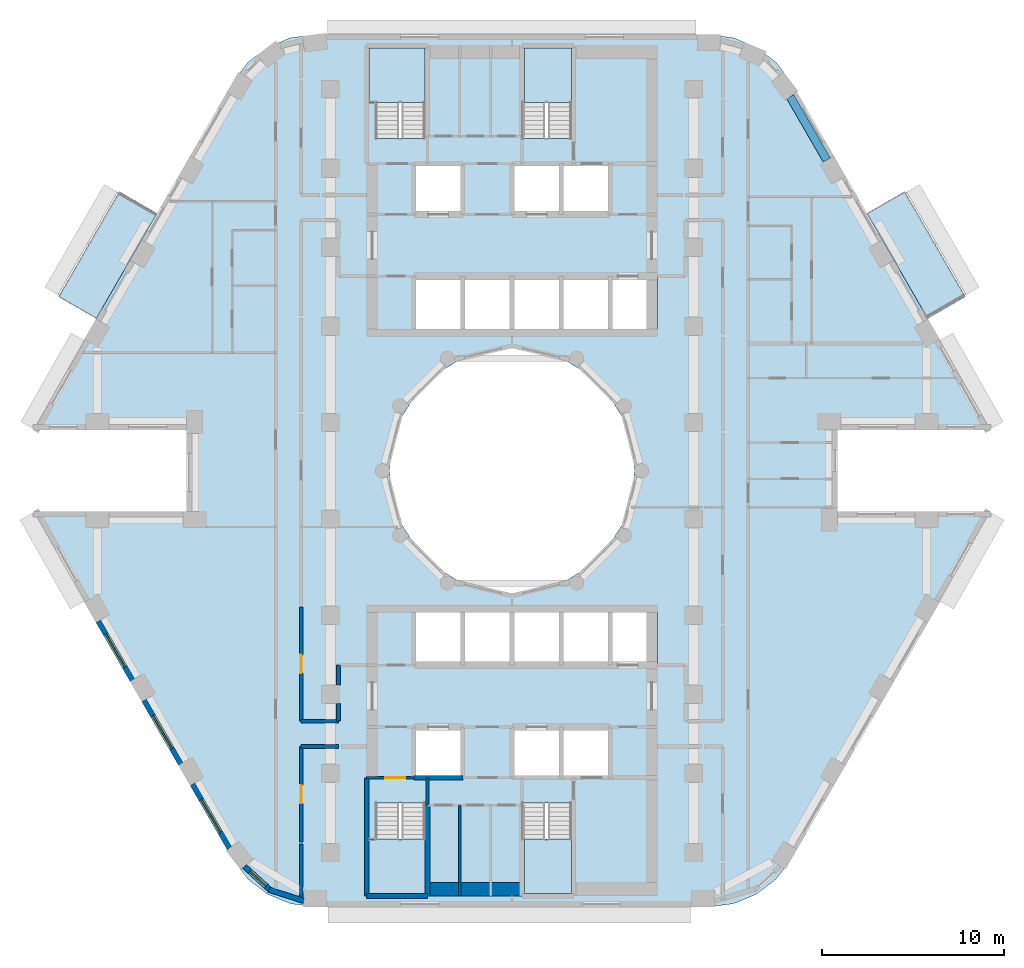
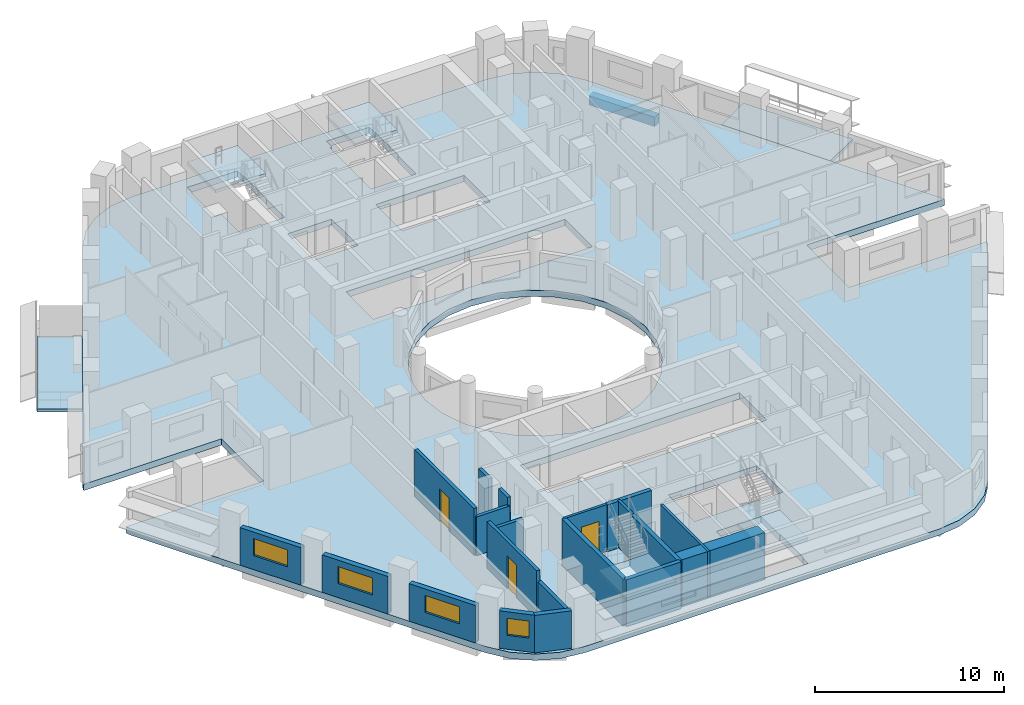
# One storey, part 2 of 14: 20 walls, 7 slabs, 4 windows, 3 doors, 1 beam, 7 openings, 4 elements without a shape of their own.
"""IFC4 building model written with IfcOpenShell, lengths in metres."""

from ifc_helpers import new_model, si_unit, direction, frame, frame_2d, origin, origin_2d, place, context, subcontext, project, spatial, polyline, rectangle, outline, extrude, material, layer, layer_set, material_profile, profile_set, type_object, element, fill, aggregate, save


model = new_model("IFC4")

# Units and contexts
model_context = context("Model", 3, precision=1e-05, world=origin(), true_north=direction((0.0, 1.0)))
body_context = subcontext(model_context, "Body", "Model", "MODEL_VIEW")
ifc_project = project(units=[si_unit("LENGTHUNIT", "METRE"), si_unit("AREAUNIT", "SQUARE_METRE"), si_unit("VOLUMEUNIT", "CUBIC_METRE"), si_unit("PLANEANGLEUNIT", "RADIAN"), si_unit("MASSUNIT", "GRAM", prefix="KILO")], contexts=[model_context])

# Site, building, storey
site_placement = place(None, origin())
site = spatial("IfcSite", under=ifc_project, at=site_placement, CompositionType="ELEMENT")
building_placement = place(site_placement, origin())
building = spatial("IfcBuilding", under=site, at=building_placement, Name="Nakaniwa Court", CompositionType="ELEMENT")
storey_placement = place(building_placement, frame((0.0, 0.0, 127.199951171875)))
storey = spatial("IfcBuildingStorey", under=building, at=storey_placement, Name="L32", CompositionType="ELEMENT", Elevation=127.199951171875)

# Beam
ifc_material_1 = material(Name="Concrete C80/100", Category="concrete")
ifc_material_profile = material_profile(ifc_material_1, rectangle(XDim=0.449951171875, YDim=0.60009765625, at=origin_2d()), Name="Concrete C80/100 RC 450x600 spandrel beam")
ifc_profile_set = profile_set([ifc_material_profile], Name="Concrete C80/100")
beam_type = type_object("IfcBeamType", Name="Concrete C80/100 RC 450x600 spandrel beam", PredefinedType="BEAM", material=ifc_profile_set)
beam_placement = place(storey_placement, frame((97.320556640625, 97.10009765625, -0.7099609375), z_axis=(-0.500018573463, 0.866014680125, 0.0), x_axis=(-0.866014680125, -0.500018573463, 0.0)))
element("IfcBeam", 1, at=beam_placement, inside=storey, type_object=beam_type, Name="SPANDREL BEAM", PredefinedType="BEAM", context=body_context, shape_type="SweptSolid", body=[
    extrude(rectangle(XDim=0.449951171875, YDim=0.60009765625, at=origin_2d()), origin(), (0.0, 0.0, 1.0), 4.020263671875),
])

# Slabs
ifc_material_2 = material(Name="Charcoal ceramic paver")
ifc_layer_1 = layer(ifc_material_2, 0.02, Name="Ceramic paver")
ifc_material_3 = material(Name="Cement sand screed")
ifc_layer_2 = layer(ifc_material_3, 0.03, Name="Falls screed")
ifc_material_4 = material(Name="Concrete C40/50", Category="concrete")
ifc_layer_3 = layer(ifc_material_4, 0.15, Name="Balcony slab")
ifc_layer_set_1 = layer_set([ifc_layer_1, ifc_layer_2, ifc_layer_3], Name="Concrete C40/50 balcony slab with ceramic paver finish")
slab_type_1 = type_object("IfcSlabType", Name="Balcony slab 200", PredefinedType="FLOOR", material=ifc_layer_set_1)
slab_1_placement = place(storey_placement, frame((0.0, 0.0, -0.25)))
element("IfcSlab", 2, at=slab_1_placement, inside=storey, type_object=slab_type_1, Name="L32 balcony 01", PredefinedType="FLOOR", context=body_context, shape_type="SweptSolid", body=[
    extrude(outline(polyline([(60.466796875, 94.16748046875), (57.12255859375, 88.375), (55.044189453125, 89.574951171875), (58.38818359375, 95.36767578125), (60.466796875, 94.16748046875)])), origin(), (0.0, 0.0, 1.0), 0.199951171875),
])
slab_2_placement = place(storey_placement, frame((0.0, 0.0, -0.25)))
element("IfcSlab", 3, at=slab_2_placement, inside=storey, type_object=slab_type_1, Name="L32 balcony 02", PredefinedType="FLOOR", context=body_context, shape_type="SweptSolid", body=[
    extrude(outline(polyline([(102.87744140625, 88.375), (99.533203125, 94.16748046875), (101.61181640625, 95.36767578125), (104.955810546875, 89.574951171875), (102.87744140625, 88.375)])), origin(), (0.0, 0.0, 1.0), 0.199951171875),
])
ifc_layer_4 = layer(ifc_material_1, 0.409912109375)
ifc_layer_set_2 = layer_set([ifc_layer_4], Name="Concrete C80/100")
slab_type_2 = type_object("IfcSlabType", Name="Concrete C80/100 post tensioned floor slab 410", PredefinedType="FLOOR", material=ifc_layer_set_2)
slab_3_placement = place(storey_placement, frame((0.0, 0.0, -0.409912109375)))
element("IfcSlab", 4, at=slab_3_placement, inside=storey, type_object=slab_type_2, Name="FLOOR SLAB", PredefinedType="FLOOR", context=body_context, shape_type="SweptSolid", body=[
    extrude(outline(polyline([(97.908447265625, 82.25), (106.356689453125, 82.25), (106.211669921875, 82.60009765625), (95.357421875, 101.39990234375), (94.531005859375, 102.47705078125), (93.4541015625, 103.30322265625), (92.199951171875, 103.82275390625), (90.854248046875, 104.0), (69.145751953125, 104.0), (67.800048828125, 103.82275390625), (66.5458984375, 103.30322265625), (65.468994140625, 102.47705078125), (64.642578125, 101.39990234375), (53.788330078125, 82.60009765625), (53.643310546875, 82.25), (62.091552734375, 82.25), (62.091552734375, 77.75), (53.643310546875, 77.75), (53.788330078125, 77.39990234375), (64.642578125, 58.60009765625), (65.468994140625, 57.52294921875), (66.5458984375, 56.69677734375), (67.800048828125, 56.17724609375), (69.145751953125, 56.0), (90.854248046875, 56.0), (92.199951171875, 56.17724609375), (93.4541015625, 56.69677734375), (94.531005859375, 57.52294921875), (95.357421875, 58.60009765625), (106.211669921875, 77.39990234375), (106.356689453125, 77.75), (97.908447265625, 77.75), (97.908447265625, 82.25)]), holes=[polyline([(81.501953125, 86.580810546875), (80.0, 86.75), (78.498046875, 86.580810546875), (77.0712890625, 86.08154296875), (75.79150390625, 85.27734375), (74.72265625, 84.20849609375), (73.91845703125, 82.9287109375), (73.419189453125, 81.501953125), (73.25, 80.0), (73.419189453125, 78.498046875), (73.91845703125, 77.0712890625), (74.72265625, 75.79150390625), (75.79150390625, 74.72265625), (77.0712890625, 73.91845703125), (78.498046875, 73.419189453125), (80.0, 73.25), (81.501953125, 73.419189453125), (82.9287109375, 73.91845703125), (84.20849609375, 74.72265625), (85.27734375, 75.79150390625), (86.08154296875, 77.0712890625), (86.580810546875, 78.498046875), (86.75, 80.0), (86.580810546875, 81.501953125), (86.08154296875, 82.9287109375), (85.27734375, 84.20849609375), (84.20849609375, 85.27734375), (82.9287109375, 86.08154296875), (81.501953125, 86.580810546875)]), polyline([(72.47509765625, 61.7099609375), (72.47509765625, 59.764892578125), (72.0849609375, 59.764892578125), (72.0849609375, 57.284912109375), (72.125, 57.284912109375), (72.125, 56.72509765625), (75.22509765625, 56.72509765625), (75.22509765625, 57.284912109375), (75.264892578125, 57.284912109375), (75.264892578125, 59.764892578125), (75.22509765625, 59.764892578125), (75.22509765625, 61.7099609375), (72.47509765625, 61.7099609375)]), polyline([(77.300048828125, 63.10009765625), (77.300048828125, 65.89990234375), (74.60009765625, 65.89990234375), (74.60009765625, 63.10009765625), (77.300048828125, 63.10009765625)]), polyline([(80.0, 69.300048828125), (82.699951171875, 69.300048828125), (85.39990234375, 69.300048828125), (88.0, 69.300048828125), (88.0, 72.199951171875), (85.39990234375, 72.199951171875), (82.699951171875, 72.199951171875), (80.0, 72.199951171875), (77.300048828125, 72.199951171875), (74.60009765625, 72.199951171875), (74.60009765625, 69.300048828125), (77.300048828125, 69.300048828125), (80.0, 69.300048828125)]), polyline([(80.0, 87.800048828125), (82.699951171875, 87.800048828125), (85.39990234375, 87.800048828125), (88.0, 87.800048828125), (88.0, 90.699951171875), (85.39990234375, 90.699951171875), (82.699951171875, 90.699951171875), (80.0, 90.699951171875), (77.300048828125, 90.699951171875), (74.60009765625, 90.699951171875), (74.60009765625, 87.800048828125), (77.300048828125, 87.800048828125), (80.0, 87.800048828125)]), polyline([(77.300048828125, 94.10009765625), (77.300048828125, 96.89990234375), (74.60009765625, 96.89990234375), (74.60009765625, 94.10009765625), (77.300048828125, 94.10009765625)]), polyline([(80.0, 96.89990234375), (80.0, 94.10009765625), (82.699951171875, 94.10009765625), (85.39990234375, 94.10009765625), (85.39990234375, 96.89990234375), (82.699951171875, 96.89990234375), (80.0, 96.89990234375)]), polyline([(75.264892578125, 100.235107421875), (75.264892578125, 102.715087890625), (75.22509765625, 102.715087890625), (75.22509765625, 103.27490234375), (72.125, 103.27490234375), (72.125, 102.715087890625), (72.0849609375, 102.715087890625), (72.0849609375, 100.235107421875), (72.47509765625, 100.235107421875), (72.47509765625, 98.2900390625), (75.22509765625, 98.2900390625), (75.22509765625, 100.235107421875), (75.264892578125, 100.235107421875)]), polyline([(83.27490234375, 61.7099609375), (80.52490234375, 61.7099609375), (80.52490234375, 57.324951171875), (80.635009765625, 57.324951171875), (80.635009765625, 57.284912109375), (80.675048828125, 57.284912109375), (80.675048828125, 56.72509765625), (83.27490234375, 56.72509765625), (83.27490234375, 57.284912109375), (83.31494140625, 57.284912109375), (83.31494140625, 59.764892578125), (83.27490234375, 59.764892578125), (83.27490234375, 61.7099609375)]), polyline([(82.699951171875, 63.10009765625), (85.39990234375, 63.10009765625), (85.39990234375, 65.89990234375), (82.699951171875, 65.89990234375), (80.0, 65.89990234375), (80.0, 63.10009765625), (82.699951171875, 63.10009765625)]), polyline([(83.27490234375, 100.235107421875), (83.31494140625, 100.235107421875), (83.31494140625, 102.715087890625), (83.27490234375, 102.715087890625), (83.27490234375, 103.27490234375), (80.675048828125, 103.27490234375), (80.675048828125, 102.715087890625), (80.635009765625, 102.715087890625), (80.635009765625, 102.675048828125), (80.52490234375, 102.675048828125), (80.52490234375, 98.2900390625), (83.27490234375, 98.2900390625), (83.27490234375, 100.235107421875)])]), origin(), (0.0, 0.0, 1.0), 0.409912109375),
])

# Stair, slab
stair_type = type_object("IfcStairType", Name="Dog leg stair 1300 wide 18 risers", PredefinedType="HALF_TURN_STAIR", material=ifc_material_1)
stair_1_placement = place(storey_placement, origin())
stair_1 = element("IfcStair", 5, at=stair_1_placement, inside=storey, type_object=stair_type, Name="L32 Stair ST1", PredefinedType="HALF_TURN_STAIR")
ifc_layer_5 = layer(ifc_material_1, 0.199951171875)
ifc_layer_set_3 = layer_set([ifc_layer_5], Name="Concrete C80/100")
slab_type_3 = type_object("IfcSlabType", Name="Stair landing concrete", PredefinedType="LANDING", material=ifc_layer_set_3)
slab_4_placement = place(storey_placement, frame((0.0, 0.0, 1.449951171875)))
slab_4 = element("IfcSlab", 6, at=slab_4_placement, type_object=slab_type_3, Name="ST1 landing 1", PredefinedType="LANDING", context=body_context, shape_type="SweptSolid", body=[
    extrude(outline(polyline([(75.22509765625, 100.27490234375), (75.22509765625, 103.27490234375), (72.125, 103.27490234375), (72.125, 100.27490234375), (75.22509765625, 100.27490234375)])), origin(), (0.0, 0.0, 1.0), 0.2001953125),
])
aggregate(stair_1, [slab_4])

stair_2_placement = place(storey_placement, origin())
stair_2 = element("IfcStair", 7, at=stair_2_placement, inside=storey, type_object=stair_type, Name="L32 Stair ST2", PredefinedType="HALF_TURN_STAIR")
slab_5_placement = place(storey_placement, frame((0.0, 0.0, 1.449951171875)))
slab_5 = element("IfcSlab", 8, at=slab_5_placement, type_object=slab_type_3, Name="ST2 landing 1", PredefinedType="LANDING", context=body_context, shape_type="SweptSolid", body=[
    extrude(outline(polyline([(83.27490234375, 100.27490234375), (83.27490234375, 103.27490234375), (80.675048828125, 103.27490234375), (80.675048828125, 100.27490234375), (83.27490234375, 100.27490234375)])), origin(), (0.0, 0.0, 1.0), 0.2001953125),
])
aggregate(stair_2, [slab_5])

stair_3_placement = place(storey_placement, origin())
stair_3 = element("IfcStair", 9, at=stair_3_placement, inside=storey, type_object=stair_type, Name="L32 Stair ST3", PredefinedType="HALF_TURN_STAIR")
slab_6_placement = place(storey_placement, frame((0.0, 0.0, 1.449951171875)))
slab_6 = element("IfcSlab", 10, at=slab_6_placement, type_object=slab_type_3, Name="ST3 landing 1", PredefinedType="LANDING", context=body_context, shape_type="SweptSolid", body=[
    extrude(outline(polyline([(75.22509765625, 56.72509765625), (75.22509765625, 59.72509765625), (72.125, 59.72509765625), (72.125, 56.72509765625), (75.22509765625, 56.72509765625)])), origin(), (0.0, 0.0, 1.0), 0.2001953125),
])
aggregate(stair_3, [slab_6])

stair_4_placement = place(storey_placement, origin())
stair_4 = element("IfcStair", 11, at=stair_4_placement, inside=storey, type_object=stair_type, Name="L32 Stair ST4", PredefinedType="HALF_TURN_STAIR")
slab_7_placement = place(storey_placement, frame((0.0, 0.0, 1.449951171875)))
slab_7 = element("IfcSlab", 12, at=slab_7_placement, type_object=slab_type_3, Name="ST4 landing 1", PredefinedType="LANDING", context=body_context, shape_type="SweptSolid", body=[
    extrude(outline(polyline([(83.27490234375, 56.72509765625), (83.27490234375, 59.72509765625), (80.675048828125, 59.72509765625), (80.675048828125, 56.72509765625), (83.27490234375, 56.72509765625)])), origin(), (0.0, 0.0, 1.0), 0.2001953125),
])
aggregate(stair_4, [slab_7])

# Walls
ifc_material_5 = material(Name="Acoustic double stud partition")
ifc_layer_6 = layer(ifc_material_5, 0.199951171875)
ifc_layer_set_4 = layer_set([ifc_layer_6], Name="Acoustic double stud partition")
wall_type_1 = type_object("IfcWallType", Name="Acoustic double stud partition 200", PredefinedType="PARTITIONING", material=ifc_layer_set_4)
wall_1_placement = place(storey_placement, frame((68.39990234375, 64.824951171875, 0.0), z_axis=(0.0, 0.0, 1.0), x_axis=(1.0, 0.0, 0.0)))
element("IfcWall", 13, at=wall_1_placement, inside=storey, type_object=wall_type_1, Name="Partition PW-081", PredefinedType="PARTITIONING", context=body_context, shape_type="SweptSolid", body=[
    extrude(rectangle(XDim=2.06298828125, YDim=0.199951171875, at=frame_2d((1.031494140625, 0.0))), origin(), (0.0, 0.0, 1.0), 2.505126953125),
])
wall_2_placement = place(storey_placement, frame((68.39990234375, 66.22509765625, 0.0), z_axis=(0.0, 0.0, 1.0), x_axis=(1.0, 0.0, 0.0)))
element("IfcWall", 14, at=wall_2_placement, inside=storey, type_object=wall_type_1, Name="Partition PW-100", PredefinedType="PARTITIONING", context=body_context, shape_type="SweptSolid", body=[
    extrude(rectangle(XDim=2.050048828125, YDim=0.199951171875, at=frame_2d((1.02490234375, 0.0))), origin(), (0.0, 0.0, 1.0), 2.505126953125),
])
wall_3_placement = place(storey_placement, frame((68.39990234375, 56.40087890625, 0.0), z_axis=(0.0, 0.0, 1.0), x_axis=(0.0, 1.0, 0.0)))
element("IfcWall", 15, at=wall_3_placement, inside=storey, type_object=wall_type_1, Name="Partition PW-102", PredefinedType="PARTITIONING", context=body_context, shape_type="SweptSolid", body=[
    extrude(rectangle(XDim=3.06201171875, YDim=0.199951171875, at=frame_2d((1.531005859375, 0.0))), origin(), (0.0, 0.0, 1.0), 2.405029296875),
])

# Wall, opening, door
wall_4_placement = place(storey_placement, frame((68.39990234375, 64.824951171875, 0.0), z_axis=(0.0, 0.0, 1.0), x_axis=(0.0, -1.0, 0.0)))
wall_4 = element("IfcWall", 16, at=wall_4_placement, inside=storey, type_object=wall_type_1, Name="Partition PW-103", PredefinedType="PARTITIONING", context=body_context, shape_type="SweptSolid", body=[
    extrude(rectangle(XDim=5.247802734375, YDim=0.199951171875, at=frame_2d((2.6240234375, 0.0))), origin(), (0.0, 0.0, 1.0), 3.025146484375),
])
opening_1_placement = place(wall_4_placement, frame((2.123046875, 0.0, 0.0)))
opening_1 = element("IfcOpeningElement", 17, at=opening_1_placement, cuts=wall_4, Name="Opening D-02-05", PredefinedType="OPENING", context=body_context, shape_type="SweptSolid", body=[
    extrude(rectangle(XDim=1.0, YDim=2.10009765625, at=frame_2d((0.5, 1.050048828125))), frame((0.0, 0.10986328125, 0.0), z_axis=(0.0, -1.0, 0.0), x_axis=(1.0, 0.0, 0.0)), (0.0, 0.0, 1.0), 0.219970703125),
])
ifc_material_6 = material(Name="Solid core timber door set, black veneer", Category="wood")
door_type_1 = type_object("IfcDoorType", Name="Internal door 1000", OperationType="NOTDEFINED", PredefinedType="DOOR", material=ifc_material_6)
door_1_placement = place(opening_1_placement, origin())
door_1 = element("IfcDoor", 18, at=door_1_placement, inside=storey, type_object=door_type_1, Name="Door D-02-05 L32-034", OperationType="SINGLE_SWING_LEFT", OverallHeight=2.10009765625, OverallWidth=1.0, PredefinedType="DOOR", context=body_context, shape_type="SweptSolid", body=[
    extrude(rectangle(XDim=1.0, YDim=2.10009765625, at=frame_2d((0.5, 1.050048828125))), frame((0.0, 0.02490234375, 0.0), z_axis=(0.0, -1.0, 0.0), x_axis=(1.0, 0.0, 0.0)), (0.0, 0.0, 1.0), 0.050048828125),
])
fill(opening_1, door_1)

wall_5_placement = place(storey_placement, frame((68.39990234375, 72.5126953125, 0.0), z_axis=(0.0, 0.0, 1.0), x_axis=(0.0, -1.0, 0.0)))
wall_5 = element("IfcWall", 19, at=wall_5_placement, inside=storey, type_object=wall_type_1, Name="Partition PW-104", PredefinedType="PARTITIONING", context=body_context, shape_type="SweptSolid", body=[
    extrude(rectangle(XDim=6.28759765625, YDim=0.199951171875, at=frame_2d((3.143798828125, 0.0))), origin(), (0.0, 0.0, 1.0), 3.025146484375),
])
opening_2_placement = place(wall_5_placement, frame((2.64501953125, 0.0, 0.0)))
opening_2 = element("IfcOpeningElement", 20, at=opening_2_placement, cuts=wall_5, Name="Opening D-02-12", PredefinedType="OPENING", context=body_context, shape_type="SweptSolid", body=[
    extrude(rectangle(XDim=1.0, YDim=2.10009765625, at=frame_2d((0.5, 1.050048828125))), frame((0.0, 0.10986328125, 0.0), z_axis=(0.0, -1.0, 0.0), x_axis=(1.0, 0.0, 0.0)), (0.0, 0.0, 1.0), 0.219970703125),
])
door_2_placement = place(opening_2_placement, origin())
door_2 = element("IfcDoor", 21, at=door_2_placement, inside=storey, type_object=door_type_1, Name="Door D-02-12 L32-045", OperationType="SINGLE_SWING_RIGHT", OverallHeight=2.10009765625, OverallWidth=1.0, PredefinedType="DOOR", context=body_context, shape_type="SweptSolid", body=[
    extrude(rectangle(XDim=1.0, YDim=2.10009765625, at=frame_2d((0.5, 1.050048828125))), frame((0.0, 0.02490234375, 0.0), z_axis=(0.0, -1.0, 0.0), x_axis=(1.0, 0.0, 0.0)), (0.0, 0.0, 1.0), 0.050048828125),
])
fill(opening_2, door_2)

# Walls
wall_6_placement = place(storey_placement, frame((70.449951171875, 66.22509765625, 0.0), z_axis=(0.0, 0.0, 1.0), x_axis=(0.0, 1.0, 0.0)))
element("IfcWall", 22, at=wall_6_placement, inside=storey, type_object=wall_type_1, Name="Partition PW-111", PredefinedType="PARTITIONING", context=body_context, shape_type="SweptSolid", body=[
    extrude(rectangle(XDim=0.957763671875, YDim=0.199951171875, at=frame_2d((0.47900390625, 0.0))), origin(), (0.0, 0.0, 1.0), 3.025146484375),
])
wall_7_placement = place(storey_placement, frame((70.449951171875, 68.21728515625, 0.0), z_axis=(0.0, 0.0, 1.0), x_axis=(0.0, 1.0, 0.0)))
element("IfcWall", 23, at=wall_7_placement, inside=storey, type_object=wall_type_1, Name="Partition PW-112", PredefinedType="PARTITIONING", context=body_context, shape_type="SweptSolid", body=[
    extrude(rectangle(XDim=1.082763671875, YDim=0.199951171875, at=frame_2d((0.54150390625, 0.0))), origin(), (0.0, 0.0, 1.0), 3.025146484375),
])

# Wall, opening, window
ifc_material_7 = material(Name="Charcoal ceramic cladding")
ifc_layer_7 = layer(ifc_material_7, 0.02, Name="Ceramic cladding")
ifc_material_8 = material(Name="Ventilated air cavity")
ifc_layer_8 = layer(ifc_material_8, 0.04, ventilated=True, Name="Ventilated cavity")
ifc_material_9 = material(Name="Mineral wool insulation")
ifc_layer_9 = layer(ifc_material_9, 0.1, Name="Insulation")
ifc_material_10 = material(Name="Cement bonded sheathing board")
ifc_layer_10 = layer(ifc_material_10, 0.012, Name="Sheathing")
ifc_material_11 = material(Name="Cold-formed galvanised stud frame with mineral wool infill")
ifc_layer_11 = layer(ifc_material_11, 0.1, Name="Stud frame")
ifc_material_12 = material(Name="Fire-rated gypsum plasterboard lining")
ifc_layer_12 = layer(ifc_material_12, 0.028, Name="Lining")
ifc_layer_set_5 = layer_set([ifc_layer_7, ifc_layer_8, ifc_layer_9, ifc_layer_10, ifc_layer_11, ifc_layer_12], Name="Charcoal ceramic faced external wall system")
wall_type_2 = type_object("IfcWallType", Name="Black ceramic faced external wall 300", PredefinedType="SOLIDWALL", material=ifc_layer_set_5)
wall_8_placement = place(storey_placement, frame((57.240478515625, 71.720947265625, 0.0), z_axis=(0.0, 0.0, 1.0), x_axis=(0.499933594891, -0.866063739398, 0.0)))
wall_8 = element("IfcWall", 24, at=wall_8_placement, inside=storey, type_object=wall_type_2, Name="L32 external wall 21", PredefinedType="SOLIDWALL", context=body_context, shape_type="SweptSolid", body=[
    extrude(rectangle(XDim=3.73681640625, YDim=0.300048828125, at=frame_2d((1.868408203125, 0.0))), origin(), (0.0, 0.0, 1.0), 2.425048828125),
])
opening_3_placement = place(wall_8_placement, frame((0.818359375, 0.0, 0.89990234375)))
opening_3 = element("IfcOpeningElement", 25, at=opening_3_placement, cuts=wall_8, Name="Opening W7.20", PredefinedType="OPENING", context=body_context, shape_type="SweptSolid", body=[
    extrude(rectangle(XDim=2.10009765625, YDim=1.10009765625, at=frame_2d((1.050048828125, 0.550048828125))), frame((0.0, 0.159912109375, 0.0), z_axis=(0.0, -1.0, 0.0), x_axis=(1.0, 0.0, 0.0)), (0.0, 0.0, 1.0), 0.320068359375),
])
ifc_material_13 = material(Name="Black anodised aluminium frame with dark low-E laminated double glazing", Category="aluminium")
window_type_1 = type_object("IfcWindowType", Name="Dark glass window 2100x1100 sill 900", PartitioningType="SINGLE_PANEL", PredefinedType="WINDOW", material=ifc_material_13)
window_1_placement = place(opening_3_placement, origin())
window_1 = element("IfcWindow", 26, at=window_1_placement, inside=storey, type_object=window_type_1, Name="L32 habitable room window 21-0", OverallHeight=1.10009765625, OverallWidth=2.10009765625, PartitioningType="SINGLE_PANEL", PredefinedType="WINDOW", context=body_context, shape_type="SweptSolid", body=[
    extrude(rectangle(XDim=2.10009765625, YDim=1.10009765625, at=frame_2d((1.050048828125, 0.550048828125))), frame((0.0, 0.030029296875, 0.0), z_axis=(0.0, -1.0, 0.0), x_axis=(1.0, 0.0, 0.0)), (0.0, 0.0, 1.0), 0.06005859375),
])
fill(opening_3, window_1)

wall_9_placement = place(storey_placement, frame((59.754638671875, 67.36572265625, 0.0), z_axis=(0.0, 0.0, 1.0), x_axis=(0.500031546601, -0.86600718958, 0.0)))
wall_9 = element("IfcWall", 27, at=wall_9_placement, inside=storey, type_object=wall_type_2, Name="L32 external wall 22", PredefinedType="SOLIDWALL", context=body_context, shape_type="SweptSolid", body=[
    extrude(rectangle(XDim=4.033935546875, YDim=0.300048828125, at=frame_2d((2.01708984375, 0.0))), origin(), (0.0, 0.0, 1.0), 2.425048828125),
])
opening_4_placement = place(wall_9_placement, frame((0.966796875, 0.0, 0.89990234375)))
opening_4 = element("IfcOpeningElement", 28, at=opening_4_placement, cuts=wall_9, Name="Opening W7.21", PredefinedType="OPENING", context=body_context, shape_type="SweptSolid", body=[
    extrude(rectangle(XDim=2.10009765625, YDim=1.10009765625, at=frame_2d((1.050048828125, 0.550048828125))), frame((0.0, 0.159912109375, 0.0), z_axis=(0.0, -1.0, 0.0), x_axis=(1.0, 0.0, 0.0)), (0.0, 0.0, 1.0), 0.320068359375),
])
window_2_placement = place(opening_4_placement, origin())
window_2 = element("IfcWindow", 29, at=window_2_placement, inside=storey, type_object=window_type_1, Name="L32 habitable room window 22-0", OverallHeight=1.10009765625, OverallWidth=2.10009765625, PartitioningType="SINGLE_PANEL", PredefinedType="WINDOW", context=body_context, shape_type="SweptSolid", body=[
    extrude(rectangle(XDim=2.10009765625, YDim=1.10009765625, at=frame_2d((1.050048828125, 0.550048828125))), frame((0.0, 0.030029296875, 0.0), z_axis=(0.0, -1.0, 0.0), x_axis=(1.0, 0.0, 0.0)), (0.0, 0.0, 1.0), 0.06005859375),
])
fill(opening_4, window_2)

wall_10_placement = place(storey_placement, frame((62.417724609375, 62.75341796875, 0.0), z_axis=(0.0, 0.0, 1.0), x_axis=(0.500018589245, -0.866014671013, 0.0)))
wall_10 = element("IfcWall", 30, at=wall_10_placement, inside=storey, type_object=wall_type_2, Name="L32 external wall 23", PredefinedType="SOLIDWALL", context=body_context, shape_type="SweptSolid", body=[
    extrude(rectangle(XDim=4.067626953125, YDim=0.300048828125, at=frame_2d((2.03369140625, 0.0))), origin(), (0.0, 0.0, 1.0), 2.425048828125),
])
opening_5_placement = place(wall_10_placement, frame((0.97265625, 0.0, 0.89990234375)))
opening_5 = element("IfcOpeningElement", 31, at=opening_5_placement, cuts=wall_10, Name="Opening W7.22", PredefinedType="OPENING", context=body_context, shape_type="SweptSolid", body=[
    extrude(rectangle(XDim=2.10009765625, YDim=1.10009765625, at=frame_2d((1.050048828125, 0.550048828125))), frame((0.0, 0.159912109375, 0.0), z_axis=(0.0, -1.0, 0.0), x_axis=(1.0, 0.0, 0.0)), (0.0, 0.0, 1.0), 0.320068359375),
])
window_3_placement = place(opening_5_placement, origin())
window_3 = element("IfcWindow", 32, at=window_3_placement, inside=storey, type_object=window_type_1, Name="L32 habitable room window 23-0", OverallHeight=1.10009765625, OverallWidth=2.10009765625, PartitioningType="SINGLE_PANEL", PredefinedType="WINDOW", context=body_context, shape_type="SweptSolid", body=[
    extrude(rectangle(XDim=2.10009765625, YDim=1.10009765625, at=frame_2d((1.050048828125, 0.550048828125))), frame((0.0, 0.030029296875, 0.0), z_axis=(0.0, -1.0, 0.0), x_axis=(1.0, 0.0, 0.0)), (0.0, 0.0, 1.0), 0.06005859375),
])
fill(opening_5, window_3)

wall_11_placement = place(storey_placement, frame((65.26904296875, 58.229248046875, 0.0), z_axis=(0.0, 0.0, 1.0), x_axis=(0.737487298625, -0.675361002995, 0.0)))
wall_11 = element("IfcWall", 33, at=wall_11_placement, inside=storey, type_object=wall_type_2, Name="L32 external wall 24", PredefinedType="SOLIDWALL", context=body_context, shape_type="SweptSolid", body=[
    extrude(rectangle(XDim=1.9765625, YDim=0.300048828125, at=frame_2d((0.98828125, 0.0))), origin(), (0.0, 0.0, 1.0), 2.425048828125),
])
opening_6_placement = place(wall_11_placement, frame((0.41552734375, 0.0, 0.89990234375)))
opening_6 = element("IfcOpeningElement", 34, at=opening_6_placement, cuts=wall_11, Name="Opening W6.23", PredefinedType="OPENING", context=body_context, shape_type="SweptSolid", body=[
    extrude(rectangle(XDim=1.199951171875, YDim=1.10009765625, at=frame_2d((0.60009765625, 0.550048828125))), frame((0.0, 0.159912109375, 0.0), z_axis=(0.0, -1.0, 0.0), x_axis=(1.0, 0.0, 0.0)), (0.0, 0.0, 1.0), 0.320068359375),
])
window_type_2 = type_object("IfcWindowType", Name="Dark glass window 1200x1100 sill 900", PartitioningType="SINGLE_PANEL", PredefinedType="WINDOW", material=ifc_material_13)
window_4_placement = place(opening_6_placement, origin())
window_4 = element("IfcWindow", 35, at=window_4_placement, inside=storey, type_object=window_type_2, Name="L32 habitable room window 24-0", OverallHeight=1.10009765625, OverallWidth=1.199951171875, PartitioningType="SINGLE_PANEL", PredefinedType="WINDOW", context=body_context, shape_type="SweptSolid", body=[
    extrude(rectangle(XDim=1.199951171875, YDim=1.10009765625, at=frame_2d((0.60009765625, 0.550048828125))), frame((0.0, 0.030029296875, 0.0), z_axis=(0.0, -1.0, 0.0), x_axis=(1.0, 0.0, 0.0)), (0.0, 0.0, 1.0), 0.06005859375),
])
fill(opening_6, window_4)

# Walls
wall_12_placement = place(storey_placement, frame((66.625732421875, 56.94580078125, 0.0), z_axis=(0.0, 0.0, 1.0), x_axis=(0.952201240673, -0.305471434444, 0.0)))
element("IfcWall", 36, at=wall_12_placement, inside=storey, type_object=wall_type_2, Name="L32 external wall 25", PredefinedType="SOLIDWALL", context=body_context, shape_type="SweptSolid", body=[
    extrude(rectangle(XDim=1.998779296875, YDim=0.300048828125, at=frame_2d((0.99951171875, 0.0))), origin(), (0.0, 0.0, 1.0), 2.425048828125),
])
ifc_material_14 = material(Name="Blockwork partition", Category="masonry")
ifc_layer_13 = layer(ifc_material_14, 0.14990234375)
ifc_layer_set_6 = layer_set([ifc_layer_13], Name="Blockwork partition")
wall_type_3 = type_object("IfcWallType", Name="Blockwork partition 150", PredefinedType="PARTITIONING", material=ifc_layer_set_6)
wall_13_placement = place(storey_placement, frame((77.117919921875, 56.60009765625, 0.0), z_axis=(0.0, 0.0, 1.0), x_axis=(0.0, 1.0, 0.0)))
element("IfcWall", 37, at=wall_13_placement, inside=storey, type_object=wall_type_3, Name="Partition PW-071", PredefinedType="PARTITIONING", context=body_context, shape_type="SweptSolid", body=[
    extrude(rectangle(XDim=5.0, YDim=0.14990234375, at=frame_2d((2.5, 0.0))), origin(), (0.0, 0.0, 1.0), 3.025146484375),
])

# Wall, opening, door
ifc_layer_14 = layer(ifc_material_1, 0.14990234375)
ifc_layer_set_7 = layer_set([ifc_layer_14], Name="Concrete C80/100")
wall_type_4 = type_object("IfcWallType", Name="Concrete core wall 150 C80", PredefinedType="SHEAR", material=ifc_layer_set_7)
wall_14_placement = place(storey_placement, frame((72.0, 63.10009765625, -0.409912109375), z_axis=(0.0, 0.0, 1.0), x_axis=(1.0, 0.0, 0.0)))
wall_14 = element("IfcWall", 38, at=wall_14_placement, inside=storey, type_object=wall_type_4, Name="Core wall SW-56", PredefinedType="SHEAR", context=body_context, shape_type="SweptSolid", body=[
    extrude(rectangle(XDim=2.60009765625, YDim=0.14990234375, at=frame_2d((1.300048828125, 0.0))), origin(), (0.0, 0.0, 1.0), 3.43505859375),
])
opening_7_placement = place(wall_14_placement, frame((1.02001953125, 0.0, 0.409912109375)))
opening_7 = element("IfcOpeningElement", 39, at=opening_7_placement, cuts=wall_14, Name="Opening D-09-02", PredefinedType="OPENING", context=body_context, shape_type="SweptSolid", body=[
    extrude(rectangle(XDim=1.10009765625, YDim=2.10009765625, at=frame_2d((0.550048828125, 1.050048828125))), frame((0.0, 0.0849609375, 0.0), z_axis=(0.0, -1.0, 0.0), x_axis=(1.0, 0.0, 0.0)), (0.0, 0.0, 1.0), 0.169921875),
])
ifc_material_15 = material(Name="Fire rated steel door set", Category="steel")
door_type_2 = type_object("IfcDoorType", Name="Stair door 1100", OperationType="NOTDEFINED", PredefinedType="DOOR", material=ifc_material_15)
door_3_placement = place(opening_7_placement, origin())
door_3 = element("IfcDoor", 40, at=door_3_placement, inside=storey, type_object=door_type_2, Name="Door D-09-02 L32-019", OperationType="SINGLE_SWING_LEFT", OverallHeight=2.10009765625, OverallWidth=1.10009765625, PredefinedType="DOOR", context=body_context, shape_type="SweptSolid", body=[
    extrude(rectangle(XDim=1.10009765625, YDim=2.10009765625, at=frame_2d((0.550048828125, 1.050048828125))), frame((0.0, 0.02490234375, 0.0), z_axis=(0.0, -1.0, 0.0), x_axis=(1.0, 0.0, 0.0)), (0.0, 0.0, 1.0), 0.050048828125),
])
fill(opening_7, door_3)

# Walls
wall_15_placement = place(storey_placement, frame((75.35009765625, 61.596923828125, -0.409912109375), z_axis=(0.0, 0.0, 1.0), x_axis=(0.0, 1.0, 0.0)))
element("IfcWall", 41, at=wall_15_placement, inside=storey, type_object=wall_type_4, Name="Core wall SW-60", PredefinedType="SHEAR", context=body_context, shape_type="SweptSolid", body=[
    extrude(rectangle(XDim=1.503173828125, YDim=0.14990234375, at=frame_2d((0.75146484375, 0.0))), origin(), (0.0, 0.0, 1.0), 3.43505859375),
])
ifc_layer_15 = layer(ifc_material_1, 0.25)
ifc_layer_set_8 = layer_set([ifc_layer_15], Name="Concrete C80/100")
wall_type_5 = type_object("IfcWallType", Name="Concrete core wall 250 C80", PredefinedType="SHEAR", material=ifc_layer_set_8)
wall_16_placement = place(storey_placement, frame((72.0, 56.60009765625, -0.409912109375), z_axis=(0.0, 0.0, 1.0), x_axis=(0.0, 1.0, 0.0)))
element("IfcWall", 42, at=wall_16_placement, inside=storey, type_object=wall_type_5, Name="Core wall SW-62", PredefinedType="SHEAR", context=body_context, shape_type="SweptSolid", body=[
    extrude(rectangle(XDim=6.5, YDim=0.25, at=frame_2d((3.25, 0.0))), origin(), (0.0, 0.0, 1.0), 3.43505859375),
])
wall_17_placement = place(storey_placement, frame((72.0, 56.60009765625, 0.0), z_axis=(0.0, 0.0, 1.0), x_axis=(1.0, 0.0, 0.0)))
element("IfcWall", 43, at=wall_17_placement, inside=storey, type_object=wall_type_5, Name="Core wall SW-63", PredefinedType="SHEAR", context=body_context, shape_type="SweptSolid", body=[
    extrude(rectangle(XDim=3.35009765625, YDim=0.25, at=frame_2d((1.675048828125, 0.0))), origin(), (0.0, 0.0, 1.0), 3.025146484375),
])
ifc_layer_16 = layer(ifc_material_1, 0.75)
ifc_layer_set_9 = layer_set([ifc_layer_16], Name="Concrete C80/100")
wall_type_6 = type_object("IfcWallType", Name="Concrete core wall 750 C80", PredefinedType="SHEAR", material=ifc_layer_set_9)
wall_18_placement = place(storey_placement, frame((75.35009765625, 56.97509765625, -0.409912109375), z_axis=(0.0, 0.0, 1.0), x_axis=(1.0, 0.0, 0.0)))
element("IfcWall", 44, at=wall_18_placement, inside=storey, type_object=wall_type_6, Name="Core wall SW-68", PredefinedType="SHEAR", context=body_context, shape_type="SweptSolid", body=[
    extrude(rectangle(XDim=5.199951171875, YDim=0.75, at=frame_2d((2.60009765625, 0.0))), origin(), (0.0, 0.0, 1.0), 3.43505859375),
])
ifc_layer_17 = layer(ifc_material_1, 0.25)
ifc_layer_set_10 = layer_set([ifc_layer_17], Name="Concrete C80/100")
wall_type_7 = type_object("IfcWallType", Name="Concrete shaft wall 250 C80", PredefinedType="SHEAR", material=ifc_layer_set_10)
wall_19_placement = place(storey_placement, frame((74.60009765625, 63.10009765625, -0.409912109375), z_axis=(0.0, 0.0, 1.0), x_axis=(1.0, 0.0, 0.0)))
element("IfcWall", 45, at=wall_19_placement, inside=storey, type_object=wall_type_7, Name="Core wall SW-57", PredefinedType="SHEAR", context=body_context, shape_type="SweptSolid", body=[
    extrude(rectangle(XDim=2.699951171875, YDim=0.25, at=frame_2d((1.35009765625, 0.0))), origin(), (0.0, 0.0, 1.0), 3.43505859375),
])
wall_20_placement = place(storey_placement, frame((75.35009765625, 56.60009765625, -0.409912109375), z_axis=(0.0, 0.0, 1.0), x_axis=(0.0, 1.0, 0.0)))
element("IfcWall", 46, at=wall_20_placement, inside=storey, type_object=wall_type_7, Name="Core wall SW-61", PredefinedType="SHEAR", context=body_context, shape_type="SweptSolid", body=[
    extrude(rectangle(XDim=5.0029296875, YDim=0.25, at=frame_2d((2.50146484375, 0.0))), origin(), (0.0, 0.0, 1.0), 3.43505859375),
])

save(model, "model.ifc")
